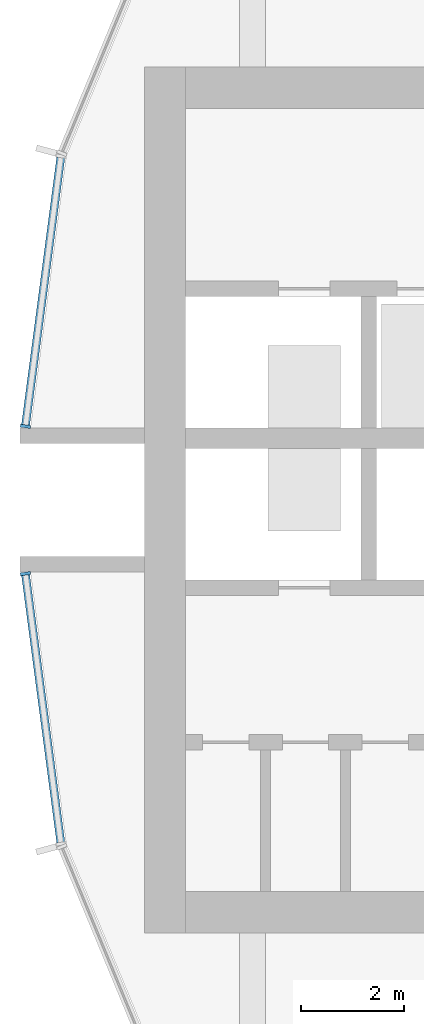
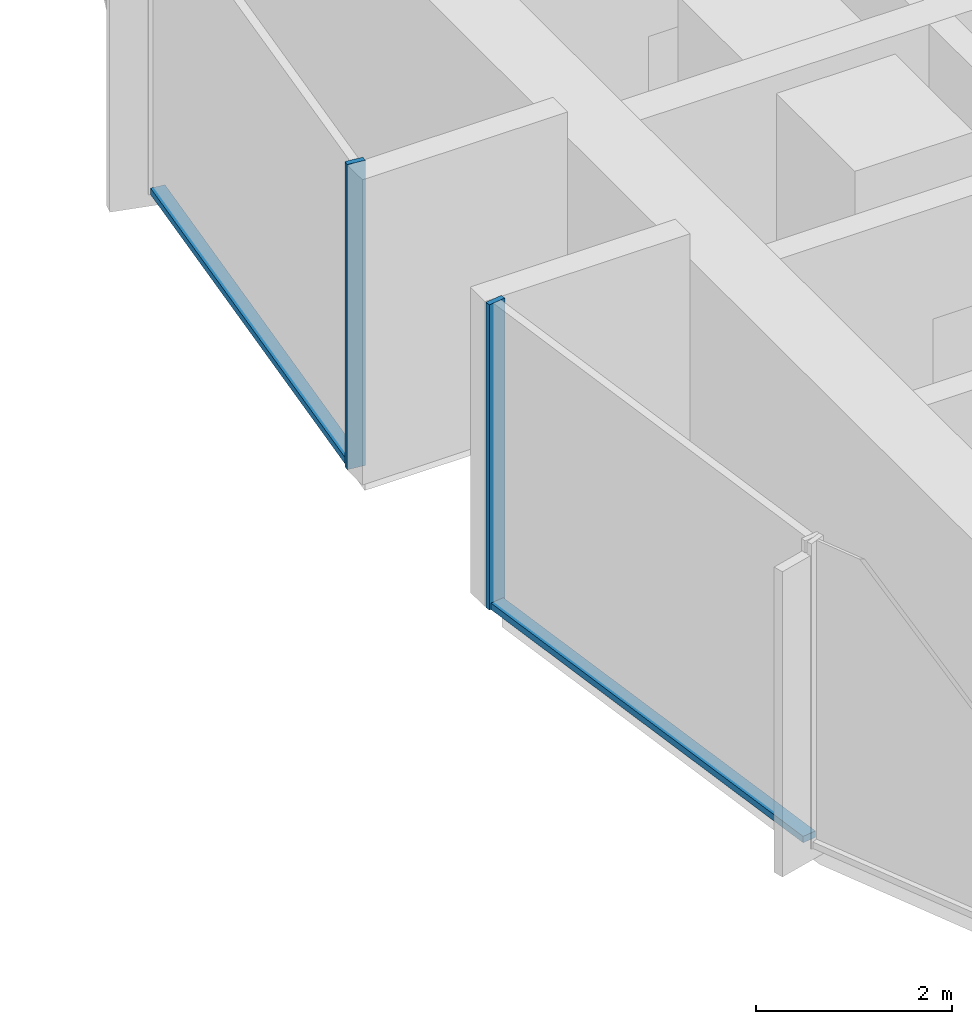
# One storey, part 3 of 15: 4 members, 2 elements without a shape of their own.
"""IFC4 building model written with IfcOpenShell, lengths in metres."""

from ifc_helpers import new_model, si_unit, direction, frame, origin, origin_2d, place, context, subcontext, project, spatial, rectangle, extrude, material, layer, layer_set, material_profile, profile_set, type_object, element, aggregate, save


model = new_model("IFC4")

# Units and contexts
model_context = context("Model", 3, precision=1e-05, world=origin(), true_north=direction((0.0, 1.0)))
body_context = subcontext(model_context, "Body", "Model", "MODEL_VIEW")
ifc_project = project(units=[si_unit("LENGTHUNIT", "METRE"), si_unit("AREAUNIT", "SQUARE_METRE"), si_unit("VOLUMEUNIT", "CUBIC_METRE"), si_unit("PLANEANGLEUNIT", "RADIAN"), si_unit("MASSUNIT", "GRAM", prefix="KILO")], contexts=[model_context])

# Site, building, storey
site_placement = place(None, origin())
site = spatial("IfcSite", under=ifc_project, at=site_placement, CompositionType="ELEMENT")
building_placement = place(site_placement, origin())
building = spatial("IfcBuilding", under=site, at=building_placement, Name="Torre Brocal", CompositionType="ELEMENT")
storey_placement = place(building_placement, frame((0.0, 0.0, 51.60009765625)))
storey = spatial("IfcBuildingStorey", under=building, at=storey_placement, Name="L11", CompositionType="ELEMENT", Elevation=51.60009765625)

# Curtain wall, member
ifc_material_1 = material(Name="Aluminium and glass", Category="aluminium")
ifc_layer = layer(ifc_material_1, 0.199951171875)
ifc_layer_set = layer_set([ifc_layer], Name="Aluminium and glass")
curtain_wall_type = type_object("IfcCurtainWallType", Name="CW-1B CURTAIN WALL 3800 HIGH", PredefinedType="NOTDEFINED", material=ifc_layer_set)
curtain_wall_1_placement = place(storey_placement, origin())
curtain_wall_1 = element("IfcCurtainWall", 1, at=curtain_wall_1_placement, inside=storey, type_object=curtain_wall_type, Name="CW-1B RUN 12", PredefinedType="NOTDEFINED")
ifc_material_2 = material(Name="Aluminium, dark anodised", Category="aluminium")
ifc_material_profile_1 = material_profile(ifc_material_2, rectangle(XDim=0.199951171875, YDim=0.06005859375, at=origin_2d()), Name="CW-1B MULLION 60X200")
ifc_profile_set_1 = profile_set([ifc_material_profile_1], Name="Aluminium, dark anodised")
member_type_1 = type_object("IfcMemberType", Name="CW-1B MULLION 60X200", PredefinedType="MULLION", material=ifc_profile_set_1)
member_1_placement = place(storey_placement, frame((54.2890625, 76.4296875, 0.0), z_axis=(0.0, 0.0, 1.0), x_axis=(0.991444861374, -0.13052619222, 0.0)))
member_1 = element("IfcMember", 2, at=member_1_placement, type_object=member_type_1, Name="CW1B-1 mullion 2", PredefinedType="MULLION", context=body_context, shape_type="SweptSolid", body=[
    extrude(rectangle(XDim=0.199951171875, YDim=0.06005859375, at=origin_2d()), origin(), (0.0, 0.0, 1.0), 3.7998046875),
])

curtain_wall_2_placement = place(storey_placement, origin())
curtain_wall_2 = element("IfcCurtainWall", 3, at=curtain_wall_2_placement, inside=storey, type_object=curtain_wall_type, Name="CW-1B RUN 13", PredefinedType="NOTDEFINED")
member_2_placement = place(storey_placement, frame((54.2890625, 73.5703125, 0.0), z_axis=(0.0, 0.0, 1.0), x_axis=(0.991444861374, 0.13052619222, 0.0)))
member_2 = element("IfcMember", 4, at=member_2_placement, type_object=member_type_1, Name="CW1B-1 mullion 1", PredefinedType="MULLION", context=body_context, shape_type="SweptSolid", body=[
    extrude(rectangle(XDim=0.199951171875, YDim=0.06005859375, at=origin_2d()), origin(), (0.0, 0.0, 1.0), 3.7998046875),
])

# Member
ifc_material_3 = material(Name="Aluminium, dark anodised", Category="aluminium")
ifc_material_profile_2 = material_profile(ifc_material_3, rectangle(XDim=0.159912109375, YDim=0.080078125, at=origin_2d()), Name="CW-1B TRANSOM 160X80")
ifc_profile_set_2 = profile_set([ifc_material_profile_2], Name="Aluminium, dark anodised")
member_type_2 = type_object("IfcMemberType", Name="CW-1B TRANSOM 160X80", PredefinedType="USERDEFINED", material=ifc_profile_set_2)
member_3_placement = place(storey_placement, frame((54.9755859375, 81.643798828125, 0.039794921875), z_axis=(-0.130542677827, -0.991442690863, 0.0), x_axis=(0.991442690863, -0.130542677827, 0.0)))
member_3 = element("IfcMember", 5, at=member_3_placement, type_object=member_type_2, Name="CW1B-1 transom 1.1", ObjectType="TRANSOM", PredefinedType="USERDEFINED", context=body_context, shape_type="SweptSolid", body=[
    extrude(rectangle(XDim=0.159912109375, YDim=0.080078125, at=origin_2d()), origin(), (0.0, 0.0, 1.0), 5.22900390625),
])

aggregate(curtain_wall_1, [member_1, member_3])

member_4_placement = place(storey_placement, frame((54.29296875, 73.54052734375, 0.039794921875), z_axis=(0.130542677827, -0.991442690863, 0.0), x_axis=(0.991442690863, 0.130542677827, 0.0)))
member_4 = element("IfcMember", 6, at=member_4_placement, type_object=member_type_2, Name="CW1B-1 transom 1.1", ObjectType="TRANSOM", PredefinedType="USERDEFINED", context=body_context, shape_type="SweptSolid", body=[
    extrude(rectangle(XDim=0.159912109375, YDim=0.080078125, at=origin_2d()), origin(), (0.0, 0.0, 1.0), 5.22900390625),
])

aggregate(curtain_wall_2, [member_2, member_4])

save(model, "model.ifc")
